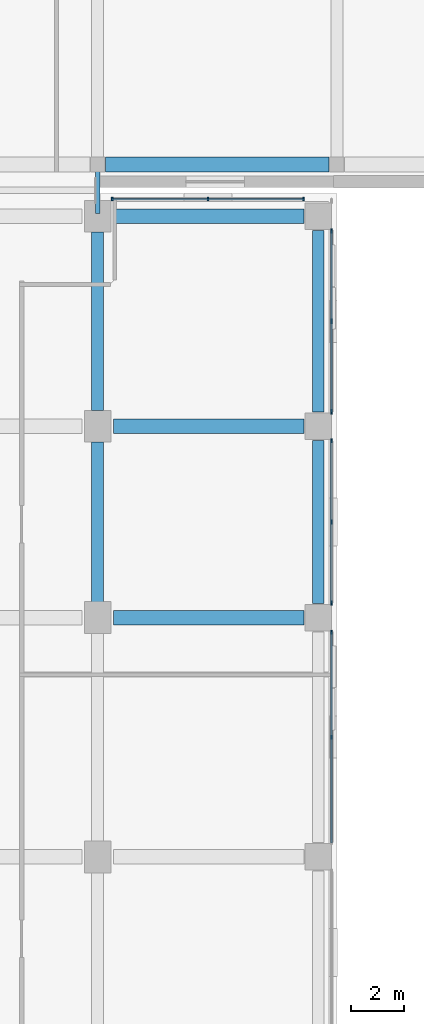
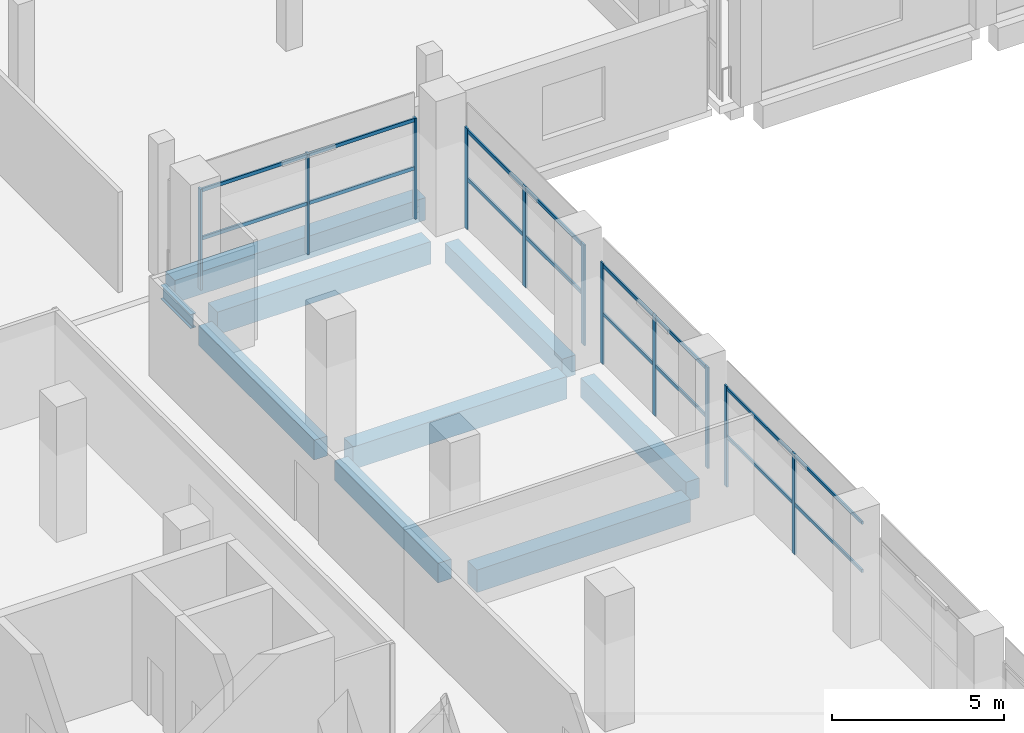
# One storey, part 24 of 111: 19 members, 9 beams, 4 elements without a shape of their own.
"""IFC4 building model written with IfcOpenShell, lengths in metres."""

import ifcopenshell
import ifcopenshell.guid

model = None  # the IFC model being written
_history = None  # IfcOwnerHistory: only IFC2X3 demands one
_inside = {}  # id of a spatial element -> (the spatial element, [elements in it])
_under = {}  # id of a project, library or spatial element -> (it, [spatial elements below it])
_declared = {}  # id of a project -> (the project, [libraries it declares])
_typed = {}  # id of a type object -> (the type object, [elements of that type])
_made_of = {}  # id of a material, layer set ... -> (it, [elements and type objects made of it])


def new_model(schema):
    """Start an empty IFC model of exactly this schema.

    Asked for "IFC4X3", IfcOpenShell would pick the latest addendum, in which some entities
    have other attributes; the version numbers below select the first issue.
    IFC2X3 requires an IfcOwnerHistory on every rooted entity: one is made here for all.
    """
    global model, _history
    if schema == "IFC4X3":
        model = ifcopenshell.file(schema_version=(4, 3, 0, 0))
    else:
        model = ifcopenshell.file(schema=schema)
    _inside.clear()
    _under.clear()
    _declared.clear()
    _typed.clear()
    _made_of.clear()
    _history = None
    if model.schema == "IFC2X3":
        org = make("IfcOrganization", Name="unknown")
        user = make(
            "IfcPersonAndOrganization",
            ThePerson=make("IfcPerson", FamilyName="unknown"),
            TheOrganization=org,
        )
        app = make(
            "IfcApplication",
            ApplicationDeveloper=org,
            Version="unknown",
            ApplicationFullName="unknown",
            ApplicationIdentifier="unknown",
        )
        _history = make(
            "IfcOwnerHistory",
            OwningUser=user,
            OwningApplication=app,
            ChangeAction="ADDED",
            CreationDate=0,
        )
    return model


def make(cls, **values):
    """One entity of the class cls with the attributes given. An attribute that is None is left unset."""
    return model.create_entity(
        cls, **{name: value for name, value in values.items() if value is not None}
    )


def rooted(cls, **values):
    """An entity with a GlobalId (a new one), such as an element, a storey or a relation."""
    return make(cls, GlobalId=ifcopenshell.guid.new(), OwnerHistory=_history, **values)


def si_unit(unit_type, name, prefix=None):
    """IfcSIUnit, for example si_unit("LENGTHUNIT", "METRE", prefix="MILLI")."""
    return make("IfcSIUnit", UnitType=unit_type, Prefix=prefix, Name=name)


def assignment(units):
    """IfcUnitAssignment: the units of a project."""
    return None if units is None else make("IfcUnitAssignment", Units=units)


def point(xyz):
    """IfcCartesianPoint."""
    return None if xyz is None else make("IfcCartesianPoint", Coordinates=xyz)


def direction(xyz):
    """IfcDirection."""
    return None if xyz is None else make("IfcDirection", DirectionRatios=xyz)


def frame(location, z_axis=None, x_axis=None):
    """IfcAxis2Placement3D, a coordinate frame: its origin and axes. An axis left out is left unset."""
    return make(
        "IfcAxis2Placement3D",
        Location=point(location),
        Axis=direction(z_axis),
        RefDirection=direction(x_axis),
    )


def frame_2d(location, x_axis=None):
    """IfcAxis2Placement2D, a coordinate frame in the plane: its origin and x axis."""
    return make(
        "IfcAxis2Placement2D", Location=point(location), RefDirection=direction(x_axis)
    )


def origin():
    """The frame at (0, 0, 0) with its axes left unset."""
    return frame((0.0, 0.0, 0.0))


def origin_2d():
    """The frame at (0, 0) in the plane with its x axis left unset."""
    return frame_2d((0.0, 0.0))


def place(relative_to, where):
    """IfcLocalPlacement: puts the frame where relative to a parent placement (None: the world)."""
    return make(
        "IfcLocalPlacement", PlacementRelTo=relative_to, RelativePlacement=where
    )


def context(
    kind, dimensions, precision=None, world=None, true_north=None, identifier=None
):
    """IfcGeometricRepresentationContext, for example the 3D "Model" context."""
    return make(
        "IfcGeometricRepresentationContext",
        ContextIdentifier=identifier,
        ContextType=kind,
        CoordinateSpaceDimension=dimensions,
        Precision=precision,
        WorldCoordinateSystem=world,
        TrueNorth=true_north,
    )


def subcontext(parent, identifier, kind, view, scale=None):
    """IfcGeometricRepresentationSubContext, for example "Body" below "Model"."""
    return make(
        "IfcGeometricRepresentationSubContext",
        ContextIdentifier=identifier,
        ContextType=kind,
        ParentContext=parent,
        TargetScale=scale,
        TargetView=view,
    )


def project(units=None, contexts=None):
    """IfcProject with its units and contexts."""
    return rooted(
        "IfcProject",
        Name="project",
        RepresentationContexts=contexts,
        UnitsInContext=assignment(units),
    )


def spatial(cls, under=None, at=None, **own):
    """A site, building, storey or space (cls), placed at a placement, below another one or the project."""
    s = rooted(cls, ObjectPlacement=at, **own)
    if under is not None:
        _under.setdefault(under.id(), (under, []))[1].append(s)
    return s


def profile(cls, at=None, kind="AREA", **sizes):
    """A parametric profile (cls). Its sizes go by their IFC names, for example OverallWidth=200.0."""
    return make(cls, ProfileType=kind, Position=at, **sizes)


def rectangle(**sizes):
    """IfcRectangleProfileDef."""
    return profile("IfcRectangleProfileDef", **sizes)


def i_section(**sizes):
    """IfcIShapeProfileDef."""
    return profile("IfcIShapeProfileDef", **sizes)


def extrude(swept, where, along, depth):
    """IfcExtrudedAreaSolid: the profile swept, set in the frame where, extruded along a direction by depth."""
    return make(
        "IfcExtrudedAreaSolid",
        SweptArea=swept,
        Position=where,
        ExtrudedDirection=direction(along),
        Depth=depth,
    )


def shape(context_of_items, identifier, shape_type, items):
    """IfcShapeRepresentation: the items that make up one representation, for example the "Body"."""
    return make(
        "IfcShapeRepresentation",
        ContextOfItems=context_of_items,
        RepresentationIdentifier=identifier,
        RepresentationType=shape_type,
        Items=items,
    )


def material(Name=None, Category=None):
    """IfcMaterial."""
    return make("IfcMaterial", Name=Name, Category=Category)


def material_profile(
    of_material, cross_section, Name=None, Category=None, Priority=None
):
    """IfcMaterialProfile: a cross section and its material."""
    return make(
        "IfcMaterialProfile",
        Name=Name,
        Material=of_material,
        Profile=cross_section,
        Priority=Priority,
        Category=Category,
    )


def profile_set(profiles, Name=None, composite=None):
    """IfcMaterialProfileSet."""
    return make(
        "IfcMaterialProfileSet",
        Name=Name,
        MaterialProfiles=profiles,
        CompositeProfile=composite,
    )


def made_of(thing, what):
    """Note that an element or type object is made of a material, layer set ...; save() writes the relation."""
    if what is not None:
        _made_of.setdefault(what.id(), (what, []))[1].append(thing)
    return thing


def type_object(cls, material=None, **own):
    """A type object (cls), such as IfcWallType, which elements share."""
    return made_of(rooted(cls, **own), material)


def element(
    cls,
    number,
    at=None,
    inside=None,
    cuts=None,
    type_object=None,
    material=None,
    context=None,
    identifier="Body",
    shape_type=None,
    held_by="IfcProductDefinitionShape",
    body=None,
    shapes=None,
    **own,
):
    """One element of the class cls, such as IfcWall. Its Tag is "e" and its number.

    at: its placement. inside: the storey or other place that contains it. cuts: it is an
    opening in that element (IfcRelVoidsElement). A single representation is given by context,
    identifier, shape_type and body (its items); several are given by shapes. held_by: the class
    of the entity that holds the representations. save() writes the other relations.
    """
    e = rooted(cls, Tag="e%d" % number, ObjectPlacement=at, **own)
    if body is not None:
        shapes = [shape(context, identifier, shape_type, body)]
    if shapes is not None:
        e.Representation = make(held_by, Representations=shapes)
    if inside is not None:
        _inside.setdefault(inside.id(), (inside, []))[1].append(e)
    if cuts is not None:
        rooted(
            "IfcRelVoidsElement", RelatingBuildingElement=cuts, RelatedOpeningElement=e
        )
    if type_object is not None:
        _typed.setdefault(type_object.id(), (type_object, []))[1].append(e)
    return made_of(e, material)


def aggregate(whole, parts):
    """IfcRelAggregates: a whole, such as a stair, and the parts it consists of."""
    return rooted("IfcRelAggregates", RelatingObject=whole, RelatedObjects=parts)


def save(model, path):
    """Write the relations noted so far, then the file.

    IfcRelAggregates (storeys below a building ...), IfcRelContainedInSpatialStructure (elements
    in a storey), IfcRelDefinesByType, IfcRelAssociatesMaterial and IfcRelDeclares: one each for
    every whole, place, type object, material and project.
    """
    for whole, parts in _under.values():
        aggregate(whole, parts)
    for where, things in _inside.values():
        rooted(
            "IfcRelContainedInSpatialStructure",
            RelatedElements=things,
            RelatingStructure=where,
        )
    for kind, things in _typed.values():
        rooted("IfcRelDefinesByType", RelatedObjects=things, RelatingType=kind)
    for what, things in _made_of.values():
        rooted("IfcRelAssociatesMaterial", RelatedObjects=things, RelatingMaterial=what)
    for by, libraries in _declared.values():
        rooted("IfcRelDeclares", RelatingContext=by, RelatedDefinitions=libraries)
    model.write(path)


model = new_model("IFC4")

# Units and contexts
model_context = context("Model", 3, precision=1e-05, world=origin(), true_north=direction((0.0, 1.0)))
body_context = subcontext(model_context, "Body", "Model", "MODEL_VIEW")
ifc_project = project(units=[si_unit("LENGTHUNIT", "METRE"), si_unit("AREAUNIT", "SQUARE_METRE"), si_unit("VOLUMEUNIT", "CUBIC_METRE"), si_unit("PLANEANGLEUNIT", "RADIAN"), si_unit("MASSUNIT", "GRAM", prefix="KILO"), si_unit("THERMODYNAMICTEMPERATUREUNIT", "KELVIN"), si_unit("POWERUNIT", "WATT")], contexts=[model_context])

# Site, building, storey
site_placement = place(None, origin())
site = spatial("IfcSite", under=ifc_project, at=site_placement, CompositionType="ELEMENT")
building_placement = place(site_placement, origin())
building = spatial("IfcBuilding", under=site, at=building_placement, Name="Sindhuravela Promenade Stadium", CompositionType="ELEMENT")
storey_placement = place(building_placement, frame((0.0, 0.0, 9.60009765625)))
storey = spatial("IfcBuildingStorey", under=building, at=storey_placement, Name="L02", CompositionType="ELEMENT", Elevation=9.60009765625)

# Curtain wall, members
ifc_material_1 = material(Name="Anodised architectural aluminium 6063-T6", Category="aluminium")
curtain_wall_type_1 = type_object("IfcCurtainWallType", Name="CW-MOD-6", PredefinedType="NOTDEFINED", material=ifc_material_1)
curtain_wall_1_placement = place(storey_placement, origin())
curtain_wall_1 = element("IfcCurtainWall", 1, at=curtain_wall_1_placement, inside=storey, type_object=curtain_wall_type_1, Name="Bronze curtain wall CW-WEST-L02-013", PredefinedType="NOTDEFINED")
ifc_material_profile_1 = material_profile(ifc_material_1, rectangle(XDim=0.06494140625, YDim=0.14990234375, at=origin_2d()), Name="ALU MULL 65x150")
ifc_profile_set_1 = profile_set([ifc_material_profile_1], Name="Anodised architectural aluminium 6063-T6")
member_type_1 = type_object("IfcMemberType", Name="CW-MUL-2", PredefinedType="MULLION", material=ifc_profile_set_1)
member_1_placement = place(storey_placement, frame((36.550048828125, 125.550048828125, 0.0), z_axis=(0.0, 0.0, 1.0), x_axis=(1.0, 0.0, 0.0)))
member_1 = element("IfcMember", 2, at=member_1_placement, type_object=member_type_1, Name="Curtain wall mullion CW-WEST-L02-013-M1", PredefinedType="MULLION", context=body_context, shape_type="SweptSolid", body=[
    extrude(rectangle(XDim=0.06494140625, YDim=0.14990234375, at=origin_2d()), origin(), (0.0, 0.0, 1.0), 3.579833984375),
])
member_2_placement = place(storey_placement, frame((40.14990234375, 125.550048828125, 0.0), z_axis=(0.0, 0.0, 1.0), x_axis=(1.0, 0.0, 0.0)))
member_2 = element("IfcMember", 3, at=member_2_placement, type_object=member_type_1, Name="Curtain wall mullion CW-WEST-L02-013-M2", PredefinedType="MULLION", context=body_context, shape_type="SweptSolid", body=[
    extrude(rectangle(XDim=0.06494140625, YDim=0.14990234375, at=origin_2d()), origin(), (0.0, 0.0, 1.0), 3.579833984375),
])
member_3_placement = place(storey_placement, frame((43.75, 125.550048828125, 0.0), z_axis=(0.0, 0.0, 1.0), x_axis=(1.0, 0.0, 0.0)))
member_3 = element("IfcMember", 4, at=member_3_placement, type_object=member_type_1, Name="Curtain wall mullion CW-WEST-L02-013-M3", PredefinedType="MULLION", context=body_context, shape_type="SweptSolid", body=[
    extrude(rectangle(XDim=0.06494140625, YDim=0.14990234375, at=origin_2d()), origin(), (0.0, 0.0, 1.0), 3.579833984375),
])

curtain_wall_type_2 = type_object("IfcCurtainWallType", Name="CW-MOD-7", PredefinedType="NOTDEFINED", material=ifc_material_1)
curtain_wall_2_placement = place(storey_placement, origin())
curtain_wall_2 = element("IfcCurtainWall", 5, at=curtain_wall_2_placement, inside=storey, type_object=curtain_wall_type_2, Name="Bronze curtain wall CW-WEST-L02-014", PredefinedType="NOTDEFINED")
ifc_material_profile_2 = material_profile(ifc_material_1, rectangle(XDim=0.06005859375, YDim=0.179931640625, at=origin_2d()), Name="ALU M60x180")
ifc_profile_set_2 = profile_set([ifc_material_profile_2], Name="Anodised architectural aluminium 6063-T6")
member_type_2 = type_object("IfcMemberType", Name="CW-MUL-3", PredefinedType="MULLION", material=ifc_profile_set_2)
member_4_placement = place(storey_placement, frame((44.800048828125, 124.35009765625, 0.0), z_axis=(0.0, 0.0, 1.0), x_axis=(1.0, 0.0, 0.0)))
member_4 = element("IfcMember", 6, at=member_4_placement, type_object=member_type_2, Name="Curtain wall mullion CW-WEST-L02-014-M1", PredefinedType="MULLION", context=body_context, shape_type="SweptSolid", body=[
    extrude(rectangle(XDim=0.06005859375, YDim=0.179931640625, at=origin_2d()), origin(), (0.0, 0.0, 1.0), 3.579833984375),
])
member_5_placement = place(storey_placement, frame((44.800048828125, 120.949951171875, 0.0), z_axis=(0.0, 0.0, 1.0), x_axis=(1.0, 0.0, 0.0)))
member_5 = element("IfcMember", 7, at=member_5_placement, type_object=member_type_2, Name="Curtain wall mullion CW-WEST-L02-014-M2", PredefinedType="MULLION", context=body_context, shape_type="SweptSolid", body=[
    extrude(rectangle(XDim=0.06005859375, YDim=0.179931640625, at=origin_2d()), origin(), (0.0, 0.0, 1.0), 3.579833984375),
])
member_6_placement = place(storey_placement, frame((44.800048828125, 117.550048828125, 0.0), z_axis=(0.0, 0.0, 1.0), x_axis=(1.0, 0.0, 0.0)))
member_6 = element("IfcMember", 8, at=member_6_placement, type_object=member_type_2, Name="Curtain wall mullion CW-WEST-L02-014-M3", PredefinedType="MULLION", context=body_context, shape_type="SweptSolid", body=[
    extrude(rectangle(XDim=0.06005859375, YDim=0.179931640625, at=origin_2d()), origin(), (0.0, 0.0, 1.0), 3.579833984375),
])

curtain_wall_type_3 = type_object("IfcCurtainWallType", Name="CW-MOD-8", PredefinedType="NOTDEFINED", material=ifc_material_1)
curtain_wall_3_placement = place(storey_placement, origin())
curtain_wall_3 = element("IfcCurtainWall", 9, at=curtain_wall_3_placement, inside=storey, type_object=curtain_wall_type_3, Name="Bronze curtain wall CW-WEST-L02-015", PredefinedType="NOTDEFINED")
ifc_material_profile_3 = material_profile(ifc_material_1, rectangle(XDim=0.06005859375, YDim=0.159912109375, at=origin_2d()), Name="ALU M60x160")
ifc_profile_set_3 = profile_set([ifc_material_profile_3], Name="Anodised architectural aluminium 6063-T6")
member_type_3 = type_object("IfcMemberType", Name="CW-MUL-4", PredefinedType="MULLION", material=ifc_profile_set_3)
member_7_placement = place(storey_placement, frame((44.800048828125, 116.449951171875, 0.0), z_axis=(0.0, 0.0, 1.0), x_axis=(1.0, 0.0, 0.0)))
member_7 = element("IfcMember", 10, at=member_7_placement, type_object=member_type_3, Name="Curtain wall mullion CW-WEST-L02-015-M1", PredefinedType="MULLION", context=body_context, shape_type="SweptSolid", body=[
    extrude(rectangle(XDim=0.06005859375, YDim=0.159912109375, at=origin_2d()), origin(), (0.0, 0.0, 1.0), 3.579833984375),
])
member_8_placement = place(storey_placement, frame((44.800048828125, 113.39990234375, 0.0), z_axis=(0.0, 0.0, 1.0), x_axis=(1.0, 0.0, 0.0)))
member_8 = element("IfcMember", 11, at=member_8_placement, type_object=member_type_3, Name="Curtain wall mullion CW-WEST-L02-015-M2", PredefinedType="MULLION", context=body_context, shape_type="SweptSolid", body=[
    extrude(rectangle(XDim=0.06005859375, YDim=0.159912109375, at=origin_2d()), origin(), (0.0, 0.0, 1.0), 3.579833984375),
])
member_9_placement = place(storey_placement, frame((44.800048828125, 110.35009765625, 0.0), z_axis=(0.0, 0.0, 1.0), x_axis=(1.0, 0.0, 0.0)))
member_9 = element("IfcMember", 12, at=member_9_placement, type_object=member_type_3, Name="Curtain wall mullion CW-WEST-L02-015-M3", PredefinedType="MULLION", context=body_context, shape_type="SweptSolid", body=[
    extrude(rectangle(XDim=0.06005859375, YDim=0.159912109375, at=origin_2d()), origin(), (0.0, 0.0, 1.0), 3.579833984375),
])

curtain_wall_type_4 = type_object("IfcCurtainWallType", Name="CW-MOD-1", PredefinedType="NOTDEFINED", material=ifc_material_1)
curtain_wall_4_placement = place(storey_placement, origin())
curtain_wall_4 = element("IfcCurtainWall", 13, at=curtain_wall_4_placement, inside=storey, type_object=curtain_wall_type_4, Name="Bronze curtain wall CW-WEST-L02-016", PredefinedType="NOTDEFINED")
ifc_material_profile_4 = material_profile(ifc_material_1, rectangle(XDim=0.06005859375, YDim=0.139892578125, at=origin_2d()), Name="ALU M60x140")
ifc_profile_set_4 = profile_set([ifc_material_profile_4], Name="Anodised architectural aluminium 6063-T6")
member_type_4 = type_object("IfcMemberType", Name="CW-MUL-5", PredefinedType="MULLION", material=ifc_profile_set_4)
member_10_placement = place(storey_placement, frame((44.800048828125, 109.25, 0.0), z_axis=(0.0, 0.0, 1.0), x_axis=(1.0, 0.0, 0.0)))
member_10 = element("IfcMember", 14, at=member_10_placement, type_object=member_type_4, Name="Curtain wall mullion CW-WEST-L02-016-M1", PredefinedType="MULLION", context=body_context, shape_type="SweptSolid", body=[
    extrude(rectangle(XDim=0.06005859375, YDim=0.139892578125, at=origin_2d()), origin(), (0.0, 0.0, 1.0), 3.579833984375),
])
member_11_placement = place(storey_placement, frame((44.800048828125, 105.300048828125, 0.0), z_axis=(0.0, 0.0, 1.0), x_axis=(1.0, 0.0, 0.0)))
member_11 = element("IfcMember", 15, at=member_11_placement, type_object=member_type_4, Name="Curtain wall mullion CW-WEST-L02-016-M2", PredefinedType="MULLION", context=body_context, shape_type="SweptSolid", body=[
    extrude(rectangle(XDim=0.06005859375, YDim=0.139892578125, at=origin_2d()), origin(), (0.0, 0.0, 1.0), 3.579833984375),
])

# Member
ifc_material_profile_5 = material_profile(ifc_material_1, rectangle(XDim=0.06494140625, YDim=0.125, at=origin_2d()), Name="ALU TRAN 65x125")
ifc_profile_set_5 = profile_set([ifc_material_profile_5], Name="Anodised architectural aluminium 6063-T6")
member_type_5 = type_object("IfcMemberType", Name="CW-TRN-2", PredefinedType="USERDEFINED", material=ifc_profile_set_5)
member_12_placement = place(storey_placement, frame((36.52490234375, 125.550048828125, 1.789794921875), z_axis=(1.0, 0.0, 0.0), x_axis=(0.0, 1.0, 0.0)))
member_12 = element("IfcMember", 16, at=member_12_placement, type_object=member_type_5, Name="Curtain wall transom CW-WEST-L02-013-T1", ObjectType="TRANSOM", PredefinedType="USERDEFINED", context=body_context, shape_type="SweptSolid", body=[
    extrude(rectangle(XDim=0.06494140625, YDim=0.125, at=origin_2d()), origin(), (0.0, 0.0, 1.0), 7.25),
])

member_13_placement = place(storey_placement, frame((36.52490234375, 125.550048828125, 3.5), z_axis=(1.0, 0.0, 0.0), x_axis=(0.0, 1.0, 0.0)))
member_13 = element("IfcMember", 17, at=member_13_placement, type_object=member_type_5, Name="Curtain wall transom CW-WEST-L02-013-T2", ObjectType="TRANSOM", PredefinedType="USERDEFINED", context=body_context, shape_type="SweptSolid", body=[
    extrude(rectangle(XDim=0.06494140625, YDim=0.125, at=origin_2d()), origin(), (0.0, 0.0, 1.0), 7.25),
])

aggregate(curtain_wall_1, [member_1, member_2, member_3, member_12, member_13])

ifc_material_profile_6 = material_profile(ifc_material_1, rectangle(XDim=0.06005859375, YDim=0.1298828125, at=origin_2d()), Name="ALU T60x130")
ifc_profile_set_6 = profile_set([ifc_material_profile_6], Name="Anodised architectural aluminium 6063-T6")
member_type_6 = type_object("IfcMemberType", Name="CW-TRN-3", PredefinedType="USERDEFINED", material=ifc_profile_set_6)
member_14_placement = place(storey_placement, frame((44.800048828125, 124.375, 1.789794921875), z_axis=(0.0, -1.0, 0.0), x_axis=(1.0, 0.0, 0.0)))
member_14 = element("IfcMember", 18, at=member_14_placement, type_object=member_type_6, Name="Curtain wall transom CW-WEST-L02-014-T1", ObjectType="TRANSOM", PredefinedType="USERDEFINED", context=body_context, shape_type="SweptSolid", body=[
    extrude(rectangle(XDim=0.06005859375, YDim=0.1298828125, at=origin_2d()), origin(), (0.0, 0.0, 1.0), 6.85009765625),
])

member_15_placement = place(storey_placement, frame((44.800048828125, 124.375, 3.5), z_axis=(0.0, -1.0, 0.0), x_axis=(1.0, 0.0, 0.0)))
member_15 = element("IfcMember", 19, at=member_15_placement, type_object=member_type_6, Name="Curtain wall transom CW-WEST-L02-014-T2", ObjectType="TRANSOM", PredefinedType="USERDEFINED", context=body_context, shape_type="SweptSolid", body=[
    extrude(rectangle(XDim=0.06005859375, YDim=0.1298828125, at=origin_2d()), origin(), (0.0, 0.0, 1.0), 6.85009765625),
])

aggregate(curtain_wall_2, [member_4, member_5, member_6, member_14, member_15])

ifc_material_profile_7 = material_profile(ifc_material_1, rectangle(XDim=0.06005859375, YDim=0.1201171875, at=origin_2d()), Name="ALU T60x120")
ifc_profile_set_7 = profile_set([ifc_material_profile_7], Name="Anodised architectural aluminium 6063-T6")
member_type_7 = type_object("IfcMemberType", Name="CW-TRN-4", PredefinedType="USERDEFINED", material=ifc_profile_set_7)
member_16_placement = place(storey_placement, frame((44.800048828125, 116.47509765625, 1.789794921875), z_axis=(0.0, -1.0, 0.0), x_axis=(1.0, 0.0, 0.0)))
member_16 = element("IfcMember", 20, at=member_16_placement, type_object=member_type_7, Name="Curtain wall transom CW-WEST-L02-015-T1", ObjectType="TRANSOM", PredefinedType="USERDEFINED", context=body_context, shape_type="SweptSolid", body=[
    extrude(rectangle(XDim=0.06005859375, YDim=0.1201171875, at=origin_2d()), origin(), (0.0, 0.0, 1.0), 6.150146484375),
])

member_17_placement = place(storey_placement, frame((44.800048828125, 116.47509765625, 3.5), z_axis=(0.0, -1.0, 0.0), x_axis=(1.0, 0.0, 0.0)))
member_17 = element("IfcMember", 21, at=member_17_placement, type_object=member_type_7, Name="Curtain wall transom CW-WEST-L02-015-T2", ObjectType="TRANSOM", PredefinedType="USERDEFINED", context=body_context, shape_type="SweptSolid", body=[
    extrude(rectangle(XDim=0.06005859375, YDim=0.1201171875, at=origin_2d()), origin(), (0.0, 0.0, 1.0), 6.150146484375),
])

aggregate(curtain_wall_3, [member_7, member_8, member_9, member_16, member_17])

ifc_material_profile_8 = material_profile(ifc_material_1, rectangle(XDim=0.06005859375, YDim=0.110107421875, at=origin_2d()), Name="ALU T60x110")
ifc_profile_set_8 = profile_set([ifc_material_profile_8], Name="Anodised architectural aluminium 6063-T6")
member_type_8 = type_object("IfcMemberType", Name="CW-TRN-5", PredefinedType="USERDEFINED", material=ifc_profile_set_8)
member_18_placement = place(storey_placement, frame((44.800048828125, 109.27490234375, 1.789794921875), z_axis=(0.0, -1.0, 0.0), x_axis=(1.0, 0.0, 0.0)))
member_18 = element("IfcMember", 22, at=member_18_placement, type_object=member_type_8, Name="Curtain wall transom CW-WEST-L02-016-T1", ObjectType="TRANSOM", PredefinedType="USERDEFINED", context=body_context, shape_type="SweptSolid", body=[
    extrude(rectangle(XDim=0.06005859375, YDim=0.110107421875, at=origin_2d()), origin(), (0.0, 0.0, 1.0), 7.949951171875),
])

member_19_placement = place(storey_placement, frame((44.800048828125, 109.27490234375, 3.5), z_axis=(0.0, -1.0, 0.0), x_axis=(1.0, 0.0, 0.0)))
member_19 = element("IfcMember", 23, at=member_19_placement, type_object=member_type_8, Name="Curtain wall transom CW-WEST-L02-016-T2", ObjectType="TRANSOM", PredefinedType="USERDEFINED", context=body_context, shape_type="SweptSolid", body=[
    extrude(rectangle(XDim=0.06005859375, YDim=0.110107421875, at=origin_2d()), origin(), (0.0, 0.0, 1.0), 7.949951171875),
])

aggregate(curtain_wall_4, [member_10, member_11, member_18, member_19])

# Beams
ifc_material_2 = material(Name="Concrete M40", Category="concrete")
ifc_material_profile_9 = material_profile(ifc_material_2, rectangle(XDim=0.449951171875, YDim=0.699951171875, at=origin_2d()), Name="RC 450x700")
ifc_profile_set_9 = profile_set([ifc_material_profile_9], Name="Concrete M40")
beam_type_1 = type_object("IfcBeamType", Name="RC-BM-450x700", PredefinedType="BEAM", material=ifc_profile_set_9)
beam_1_placement = place(storey_placement, frame((36.0, 110.389892578125, -0.630126953125), z_axis=(0.0, 1.0, 0.0), x_axis=(-1.0, 0.0, 0.0)))
element("IfcBeam", 24, at=beam_1_placement, inside=storey, type_object=beam_type_1, Name="Primary beam GB07 WEST L02", PredefinedType="BEAM", context=body_context, shape_type="SweptSolid", body=[
    extrude(rectangle(XDim=0.449951171875, YDim=0.699951171875, at=origin_2d()), origin(), (0.0, 0.0, 1.0), 6.02001953125),
])
beam_2_placement = place(storey_placement, frame((36.0, 117.590087890625, -0.630126953125), z_axis=(0.0, 1.0, 0.0), x_axis=(-1.0, 0.0, 0.0)))
element("IfcBeam", 25, at=beam_2_placement, inside=storey, type_object=beam_type_1, Name="Primary beam GB07 WEST L02", PredefinedType="BEAM", context=body_context, shape_type="SweptSolid", body=[
    extrude(rectangle(XDim=0.449951171875, YDim=0.699951171875, at=origin_2d()), origin(), (0.0, 0.0, 1.0), 6.719970703125),
])
beam_3_placement = place(storey_placement, frame((44.300048828125, 110.340087890625, -0.630126953125), z_axis=(0.0, 1.0, 0.0), x_axis=(-1.0, 0.0, 0.0)))
element("IfcBeam", 26, at=beam_3_placement, inside=storey, type_object=beam_type_1, Name="Primary beam GB07 WEST L02", PredefinedType="BEAM", context=body_context, shape_type="SweptSolid", body=[
    extrude(rectangle(XDim=0.449951171875, YDim=0.699951171875, at=origin_2d()), origin(), (0.0, 0.0, 1.0), 6.119873046875),
])
beam_4_placement = place(storey_placement, frame((44.300048828125, 117.5400390625, -0.630126953125), z_axis=(0.0, 1.0, 0.0), x_axis=(-1.0, 0.0, 0.0)))
element("IfcBeam", 27, at=beam_4_placement, inside=storey, type_object=beam_type_1, Name="Primary beam GB07 WEST L02", PredefinedType="BEAM", context=body_context, shape_type="SweptSolid", body=[
    extrude(rectangle(XDim=0.449951171875, YDim=0.699951171875, at=origin_2d()), origin(), (0.0, 0.0, 1.0), 6.820068359375),
])
ifc_material_profile_10 = material_profile(ifc_material_2, rectangle(XDim=0.550048828125, YDim=0.800048828125, at=origin_2d()), Name="RC 550x800")
ifc_profile_set_10 = profile_set([ifc_material_profile_10], Name="Concrete M40")
beam_type_2 = type_object("IfcBeamType", Name="RC-BM-550x800", PredefinedType="BEAM", material=ifc_profile_set_10)
for number, where, z_axis, x_axis, name in (
    (28, (36.590087890625, 109.800048828125, -0.68017578125), (1.0, 0.0, 0.0), (0.0, 1.0, 0.0), "Primary girder GB05 WEST L02"),
    (29, (36.590087890625, 117.0, -0.68017578125), (1.0, 0.0, 0.0), (0.0, 1.0, 0.0), "Primary girder GB05 WEST L02"),
    (30, (36.590087890625, 124.89990234375, -0.68017578125), (1.0, 0.0, 0.0), (0.0, 1.0, 0.0), "Primary girder GB05 WEST L02"),
):
    element("IfcBeam", number, at=place(storey_placement, frame(where, z_axis=z_axis, x_axis=x_axis)), inside=storey, type_object=beam_type_2, Name=name, PredefinedType="BEAM", context=body_context, shape_type="SweptSolid", body=[
        extrude(rectangle(XDim=0.550048828125, YDim=0.800048828125, at=origin_2d()), origin(), (0.0, 0.0, 1.0), 7.169921875),
    ])
beam_5_placement = place(storey_placement, frame((36.2900390625, 126.85009765625, -0.635009765625), z_axis=(1.0, 0.0, 0.0), x_axis=(0.0, 1.0, 0.0)))
element("IfcBeam", 31, at=beam_5_placement, inside=storey, type_object=beam_type_2, Name="Primary girder GB05 Pavilion NW L02", PredefinedType="BEAM", context=body_context, shape_type="SweptSolid", body=[
    extrude(rectangle(XDim=0.550048828125, YDim=0.800048828125, at=origin_2d()), origin(), (0.0, 0.0, 1.0), 8.419921875),
])
ifc_material_3 = material(Name="Steel E350 (IS 2062 E350BR)", Category="steel")
ifc_material_profile_11 = material_profile(ifc_material_3, i_section(OverallWidth=0.179931640625, OverallDepth=0.5, WebThickness=0.01025390625, FlangeThickness=0.01708984375, FilletRadius=0.01708984375, at=origin_2d()), Name="ISMB 500")
ifc_profile_set_11 = profile_set([ifc_material_profile_11], Name="Steel E350 (IS 2062 E350BR)")
beam_type_3 = type_object("IfcBeamType", Name="ST-BM-MB500", PredefinedType="BEAM", material=ifc_profile_set_11)
beam_6_placement = place(storey_placement, frame((36.0, 125.0, -0.610107421875), z_axis=(0.0, 1.0, 0.0), x_axis=(-1.0, 0.0, 0.0)))
element("IfcBeam", 32, at=beam_6_placement, inside=storey, type_object=beam_type_3, Name="Concourse link bridge L02 West-NW PTFE sliding girder R", PredefinedType="BEAM", context=body_context, shape_type="SweptSolid", body=[
    extrude(i_section(OverallWidth=0.179931640625, OverallDepth=0.5, WebThickness=0.01025390625, FlangeThickness=0.01708984375, FilletRadius=0.01708984375, at=origin_2d()), origin(), (0.0, 0.0, 1.0), 1.75),
])

save(model, "model.ifc")
